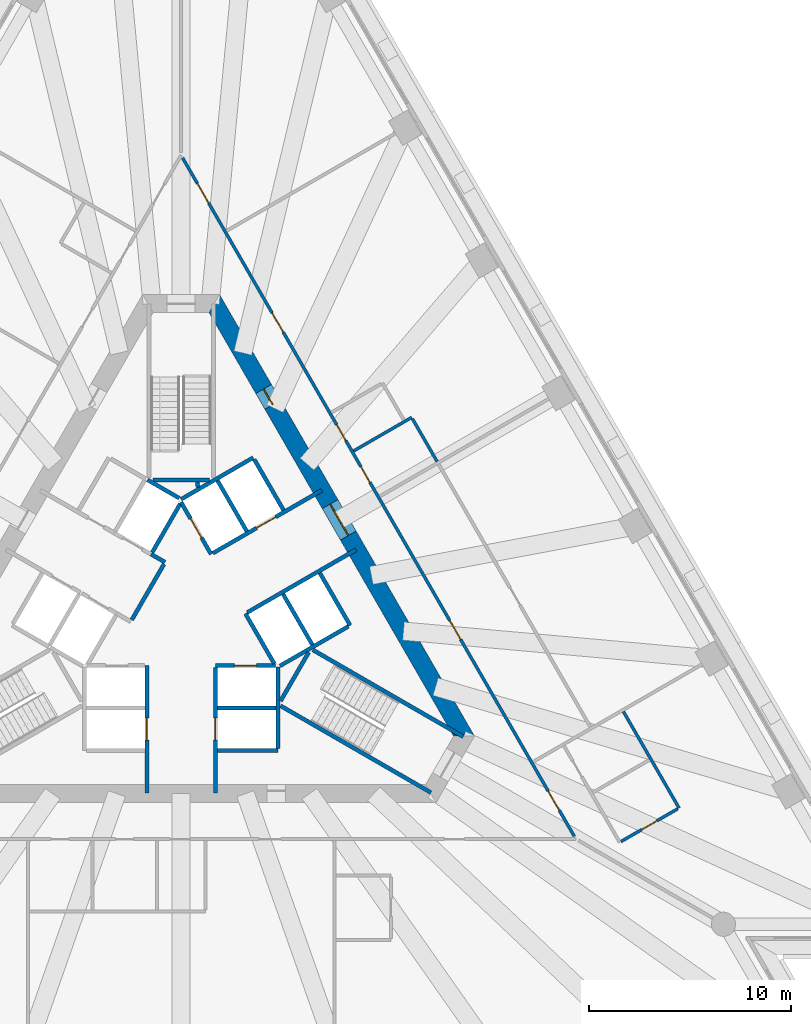
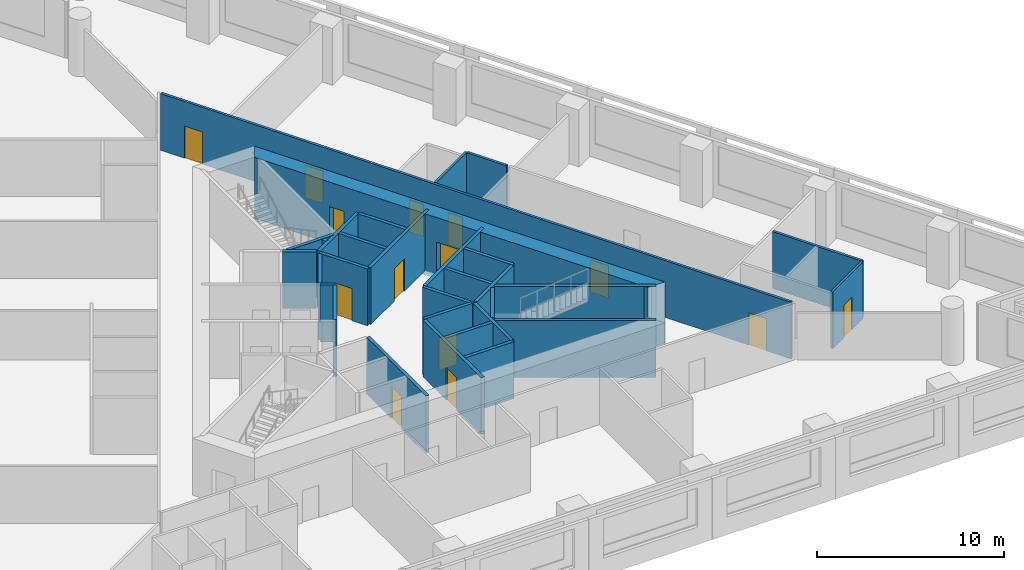
# One storey, part 6 of 11: 31 walls, 14 doors, 14 openings.
"""IFC4 building model written with IfcOpenShell, lengths in metres."""

from ifc_helpers import new_model, si_unit, direction, frame, frame_2d, origin, place, context, subcontext, project, spatial, polyline, rectangle, outline, extrude, material, layer, layer_set, type_object, element, fill, save


model = new_model("IFC4")

# Units and contexts
model_context = context("Model", 3, precision=1e-05, world=origin(), true_north=direction((0.0, 1.0)))
body_context = subcontext(model_context, "Body", "Model", "MODEL_VIEW")
ifc_project = project(units=[si_unit("LENGTHUNIT", "METRE"), si_unit("AREAUNIT", "SQUARE_METRE"), si_unit("VOLUMEUNIT", "CUBIC_METRE"), si_unit("PLANEANGLEUNIT", "RADIAN"), si_unit("MASSUNIT", "GRAM", prefix="KILO")], contexts=[model_context])

# Site, building, storey
site_placement = place(None, origin())
site = spatial("IfcSite", under=ifc_project, at=site_placement, CompositionType="ELEMENT")
building_placement = place(site_placement, origin())
building = spatial("IfcBuilding", under=site, at=building_placement, Name="Triada Interchange Tower", CompositionType="ELEMENT")
storey_placement = place(building_placement, frame((0.0, 0.0, 43.300048828125)))
storey = spatial("IfcBuildingStorey", under=building, at=storey_placement, Name="L08", CompositionType="ELEMENT", Elevation=43.300048828125)

# Walls
ifc_material_1 = material(Name="Concrete C30/37", Category="concrete")
ifc_layer_1 = layer(ifc_material_1, 0.199951171875)
ifc_layer_set_1 = layer_set([ifc_layer_1], Name="CORE WALL 200 EI 120")
wall_type_1 = type_object("IfcWallType", Name="CORE WALL 200 EI 120", PredefinedType="SOLIDWALL", material=ifc_layer_set_1)
wall_1_placement = place(storey_placement, frame((1.800048828125, -4.800048828125, 0.0), z_axis=(0.0, 0.0, 1.0), x_axis=(1.0, 0.0, 0.0)))
element("IfcWall", 1, at=wall_1_placement, inside=storey, type_object=wall_type_1, Name="Wall L06 49", PredefinedType="SOLIDWALL", context=body_context, shape_type="SweptSolid", body=[
    extrude(rectangle(XDim=2.89990234375, YDim=0.199951171875, at=frame_2d((1.449951171875, 0.0))), origin(), (0.0, 0.0, 1.0), 3.699951171875),
])
wall_2_placement = place(storey_placement, frame((1.800048828125, -6.89990234375, 0.0), z_axis=(0.0, 0.0, 1.0), x_axis=(1.0, 0.0, 0.0)))
element("IfcWall", 2, at=wall_2_placement, inside=storey, type_object=wall_type_1, Name="Wall L06 52", PredefinedType="SOLIDWALL", context=body_context, shape_type="SweptSolid", body=[
    extrude(rectangle(XDim=3.0, YDim=0.199951171875, at=frame_2d((1.5, 0.0))), origin(), (0.0, 0.0, 1.0), 3.699951171875),
])

# Wall, opening, door
wall_3_placement = place(storey_placement, frame((-1.699951171875, -9.030029296875, 0.0), z_axis=(0.0, 0.0, 1.0), x_axis=(0.0, 1.0, 0.0)))
wall_3 = element("IfcWall", 3, at=wall_3_placement, inside=storey, type_object=wall_type_1, Name="Wall L06 53", PredefinedType="SOLIDWALL", context=body_context, shape_type="SweptSolid", body=[
    extrude(rectangle(XDim=6.3271484375, YDim=0.199951171875, at=frame_2d((3.16357421875, 0.0))), origin(), (0.0, 0.0, 1.0), 3.699951171875),
])
opening_1_placement = place(wall_3_placement, frame((2.6298828125, 0.0, 0.0)))
opening_1 = element("IfcOpeningElement", 4, at=opening_1_placement, cuts=wall_3, Name="Opening LD-LR4", PredefinedType="OPENING", context=body_context, shape_type="SweptSolid", body=[
    extrude(rectangle(XDim=1.10009765625, YDim=2.10009765625, at=frame_2d((0.550048828125, 1.050048828125))), frame((0.0, 0.10986328125, 0.0), z_axis=(0.0, -1.0, 0.0), x_axis=(1.0, 0.0, 0.0)), (0.0, 0.0, 1.0), 0.219970703125),
])
ifc_material_2 = material(Name="Steel S235 door leaf", Category="steel")
door_type_1 = type_object("IfcDoorType", Name="LIFT LANDING DOOR 1100 EI 120", OperationType="SLIDING_TO_LEFT", PredefinedType="DOOR", material=ifc_material_2)
door_1_placement = place(opening_1_placement, origin())
door_1 = element("IfcDoor", 5, at=door_1_placement, inside=storey, type_object=door_type_1, Name="LR4 landing door L08", OperationType="SLIDING_TO_LEFT", OverallHeight=2.10009765625, OverallWidth=1.10009765625, PredefinedType="DOOR", context=body_context, shape_type="SweptSolid", body=[
    extrude(rectangle(XDim=1.10009765625, YDim=2.10009765625, at=frame_2d((0.550048828125, 1.050048828125))), frame((0.0, 0.02490234375, 0.0), z_axis=(0.0, -1.0, 0.0), x_axis=(1.0, 0.0, 0.0)), (0.0, 0.0, 1.0), 0.050048828125),
])
fill(opening_1, door_1)

wall_4_placement = place(storey_placement, frame((1.702880859375, -2.699951171875, 0.0), z_axis=(0.0, 0.0, 1.0), x_axis=(1.0, 0.0, 0.0)))
wall_4 = element("IfcWall", 6, at=wall_4_placement, inside=storey, type_object=wall_type_1, Name="Wall L06 55", PredefinedType="SOLIDWALL", context=body_context, shape_type="SweptSolid", body=[
    extrude(rectangle(XDim=2.97314453125, YDim=0.199951171875, at=frame_2d((1.486572265625, 0.0))), origin(), (0.0, 0.0, 1.0), 3.699951171875),
])
opening_2_placement = place(wall_4_placement, frame((0.93603515625, 0.0, 0.0)))
opening_2 = element("IfcOpeningElement", 7, at=opening_2_placement, cuts=wall_4, Name="Opening LD-LR1", PredefinedType="OPENING", context=body_context, shape_type="SweptSolid", body=[
    extrude(rectangle(XDim=1.10009765625, YDim=2.10009765625, at=frame_2d((0.550048828125, 1.050048828125))), frame((0.0, 0.10986328125, 0.0), z_axis=(0.0, -1.0, 0.0), x_axis=(1.0, 0.0, 0.0)), (0.0, 0.0, 1.0), 0.219970703125),
])
door_2_placement = place(opening_2_placement, origin())
door_2 = element("IfcDoor", 8, at=door_2_placement, inside=storey, type_object=door_type_1, Name="LR1 landing door L08", OperationType="SLIDING_TO_LEFT", OverallHeight=2.10009765625, OverallWidth=1.10009765625, PredefinedType="DOOR", context=body_context, shape_type="SweptSolid", body=[
    extrude(rectangle(XDim=1.10009765625, YDim=2.10009765625, at=frame_2d((0.550048828125, 1.050048828125))), frame((0.0, 0.02490234375, 0.0), z_axis=(0.0, -1.0, 0.0), x_axis=(1.0, 0.0, 0.0)), (0.0, 0.0, 1.0), 0.050048828125),
])
fill(opening_2, door_2)

# Wall
wall_5_placement = place(storey_placement, frame((-0.001953125, 5.541015625, 0.0), z_axis=(0.0, 0.0, 1.0), x_axis=(0.86600155993, 0.500041296494, 0.0)))
element("IfcWall", 9, at=wall_5_placement, inside=storey, type_object=wall_type_1, Name="Wall L06 56", PredefinedType="SOLIDWALL", context=body_context, shape_type="SweptSolid", body=[
    extrude(rectangle(XDim=4.131591796875, YDim=0.199951171875, at=frame_2d((2.06591796875, 0.0))), origin(), (0.0, 0.0, 1.0), 3.699951171875),
])

# Wall, opening, door
wall_6_placement = place(storey_placement, frame((0.0, 5.39990234375, 0.0), z_axis=(0.0, 0.0, 1.0), x_axis=(0.500103862429, -0.865965430478, 0.0)))
wall_6 = element("IfcWall", 10, at=wall_6_placement, inside=storey, type_object=wall_type_1, Name="Wall L06 57", PredefinedType="SOLIDWALL", context=body_context, shape_type="SweptSolid", body=[
    extrude(rectangle(XDim=2.973388671875, YDim=0.199951171875, at=frame_2d((1.48681640625, 0.0))), origin(), (0.0, 0.0, 1.0), 3.699951171875),
])
opening_3_placement = place(wall_6_placement, frame((0.93701171875, 0.0, 0.0)))
opening_3 = element("IfcOpeningElement", 11, at=opening_3_placement, cuts=wall_6, Name="Opening LD-LR5", PredefinedType="OPENING", context=body_context, shape_type="SweptSolid", body=[
    extrude(rectangle(XDim=1.10009765625, YDim=2.10009765625, at=frame_2d((0.550048828125, 1.050048828125))), frame((0.0, 0.10986328125, 0.0), z_axis=(0.0, -1.0, 0.0), x_axis=(1.0, 0.0, 0.0)), (0.0, 0.0, 1.0), 0.219970703125),
])
door_3_placement = place(opening_3_placement, origin())
door_3 = element("IfcDoor", 12, at=door_3_placement, inside=storey, type_object=door_type_1, Name="LR5 landing door L08", OperationType="SLIDING_TO_LEFT", OverallHeight=2.10009765625, OverallWidth=1.10009765625, PredefinedType="DOOR", context=body_context, shape_type="SweptSolid", body=[
    extrude(rectangle(XDim=1.10009765625, YDim=2.10009765625, at=frame_2d((0.550048828125, 1.050048828125))), frame((0.0, 0.02490234375, 0.0), z_axis=(0.0, -1.0, 0.0), x_axis=(1.0, 0.0, 0.0)), (0.0, 0.0, 1.0), 0.050048828125),
])
fill(opening_3, door_3)

# Wall
wall_7_placement = place(storey_placement, frame((3.18994140625, -0.125, 0.0), z_axis=(0.0, 0.0, 1.0), x_axis=(0.499988658015, -0.866031951983, 0.0)))
element("IfcWall", 13, at=wall_7_placement, inside=storey, type_object=wall_type_1, Name="Wall L06 58", PredefinedType="SOLIDWALL", context=body_context, shape_type="SweptSolid", body=[
    extrude(rectangle(XDim=2.85791015625, YDim=0.199951171875, at=frame_2d((1.428955078125, 0.0))), origin(), (0.0, 0.0, 1.0), 3.699951171875),
])

# Wall, opening, door
wall_8_placement = place(storey_placement, frame((1.577880859375, 2.8740234375, 0.0), z_axis=(0.0, 0.0, 1.0), x_axis=(0.866031483044, 0.499989470266, 0.0)))
wall_8 = element("IfcWall", 14, at=wall_8_placement, inside=storey, type_object=wall_type_1, Name="Wall L06 59", PredefinedType="SOLIDWALL", context=body_context, shape_type="SweptSolid", body=[
    extrude(rectangle(XDim=6.226318359375, YDim=0.199951171875, at=frame_2d((3.11328125, 0.0))), origin(), (0.0, 0.0, 1.0), 3.699951171875),
])
opening_4_placement = place(wall_8_placement, frame((2.49609375, 0.0, 0.0)))
opening_4 = element("IfcOpeningElement", 15, at=opening_4_placement, cuts=wall_8, Name="Opening LD-LR6", PredefinedType="OPENING", context=body_context, shape_type="SweptSolid", body=[
    extrude(rectangle(XDim=1.10009765625, YDim=2.10009765625, at=frame_2d((0.550048828125, 1.050048828125))), frame((0.0, 0.10986328125, 0.0), z_axis=(0.0, -1.0, 0.0), x_axis=(1.0, 0.0, 0.0)), (0.0, 0.0, 1.0), 0.219970703125),
])
door_4_placement = place(opening_4_placement, origin())
door_4 = element("IfcDoor", 16, at=door_4_placement, inside=storey, type_object=door_type_1, Name="LR6 landing door L08", OperationType="SLIDING_TO_LEFT", OverallHeight=2.10009765625, OverallWidth=1.10009765625, PredefinedType="DOOR", context=body_context, shape_type="SweptSolid", body=[
    extrude(rectangle(XDim=1.10009765625, YDim=2.10009765625, at=frame_2d((0.550048828125, 1.050048828125))), frame((0.0, 0.02490234375, 0.0), z_axis=(0.0, -1.0, 0.0), x_axis=(1.0, 0.0, 0.0)), (0.0, 0.0, 1.0), 0.050048828125),
])
fill(opening_4, door_4)

wall_9_placement = place(storey_placement, frame((1.699951171875, -9.030029296875, 0.0), z_axis=(0.0, 0.0, 1.0), x_axis=(0.0, 1.0, 0.0)))
wall_9 = element("IfcWall", 17, at=wall_9_placement, inside=storey, type_object=wall_type_1, Name="Wall L06 60", PredefinedType="SOLIDWALL", context=body_context, shape_type="SweptSolid", body=[
    extrude(rectangle(XDim=6.22705078125, YDim=0.199951171875, at=frame_2d((3.113525390625, 0.0))), origin(), (0.0, 0.0, 1.0), 3.699951171875),
])
opening_5_placement = place(wall_9_placement, frame((2.6298828125, 0.0, 0.0)))
opening_5 = element("IfcOpeningElement", 18, at=opening_5_placement, cuts=wall_9, Name="Opening LD-LR2", PredefinedType="OPENING", context=body_context, shape_type="SweptSolid", body=[
    extrude(rectangle(XDim=1.10009765625, YDim=2.10009765625, at=frame_2d((0.550048828125, 1.050048828125))), frame((0.0, 0.10986328125, 0.0), z_axis=(0.0, -1.0, 0.0), x_axis=(1.0, 0.0, 0.0)), (0.0, 0.0, 1.0), 0.219970703125),
])
door_5_placement = place(opening_5_placement, origin())
door_5 = element("IfcDoor", 19, at=door_5_placement, inside=storey, type_object=door_type_1, Name="LR2 landing door L08", OperationType="SLIDING_TO_LEFT", OverallHeight=2.10009765625, OverallWidth=1.10009765625, PredefinedType="DOOR", context=body_context, shape_type="SweptSolid", body=[
    extrude(rectangle(XDim=1.10009765625, YDim=2.10009765625, at=frame_2d((0.550048828125, 1.050048828125))), frame((0.0, 0.02490234375, 0.0), z_axis=(0.0, -1.0, 0.0), x_axis=(1.0, 0.0, 0.0)), (0.0, 0.0, 1.0), 0.050048828125),
])
fill(opening_5, door_5)

# Walls
wall_10_placement = place(storey_placement, frame((4.800048828125, -6.800048828125, 0.0), z_axis=(0.0, 0.0, 1.0), x_axis=(0.0, 1.0, 0.0)))
element("IfcWall", 20, at=wall_10_placement, inside=storey, type_object=wall_type_1, Name="Wall L06 61", PredefinedType="SOLIDWALL", context=body_context, shape_type="SweptSolid", body=[
    extrude(rectangle(XDim=4.029052734375, YDim=0.199951171875, at=frame_2d((2.0146484375, 0.0))), origin(), (0.0, 0.0, 1.0), 3.699951171875),
])
wall_11_placement = place(storey_placement, frame((3.278076171875, -0.071044921875, 0.0), z_axis=(0.0, 0.0, 1.0), x_axis=(0.865953757655, 0.500124074208, 0.0)))
element("IfcWall", 21, at=wall_11_placement, inside=storey, type_object=wall_type_1, Name="Wall L06 62", PredefinedType="SOLIDWALL", context=body_context, shape_type="SweptSolid", body=[
    extrude(rectangle(XDim=6.2265625, YDim=0.199951171875, at=frame_2d((3.11328125, 0.0))), origin(), (0.0, 0.0, 1.0), 3.699951171875),
])
wall_12_placement = place(storey_placement, frame((3.6259765625, 7.52001953125, 0.0), z_axis=(0.0, 0.0, 1.0), x_axis=(0.500060147554, -0.865990674793, 0.0)))
element("IfcWall", 22, at=wall_12_placement, inside=storey, type_object=wall_type_1, Name="Wall L06 63", PredefinedType="SOLIDWALL", context=body_context, shape_type="SweptSolid", body=[
    extrude(rectangle(XDim=2.899658203125, YDim=0.199951171875, at=frame_2d((1.44970703125, 0.0))), origin(), (0.0, 0.0, 1.0), 3.699951171875),
])
wall_13_placement = place(storey_placement, frame((6.8759765625, 1.89111328125, 0.0), z_axis=(0.0, 0.0, 1.0), x_axis=(0.499990139034, -0.866031096941, 0.0)))
element("IfcWall", 23, at=wall_13_placement, inside=storey, type_object=wall_type_1, Name="Wall L06 64", PredefinedType="SOLIDWALL", context=body_context, shape_type="SweptSolid", body=[
    extrude(rectangle(XDim=3.0, YDim=0.199951171875, at=frame_2d((1.5, 0.0))), origin(), (0.0, 0.0, 1.0), 3.699951171875),
])
for number, where, z_axis, x_axis, name in (
    (24, (1.806884765625, 6.469970703125, 0.0), (0.0, 0.0, 1.0), (0.50012328804, -0.865954211699, 0.0), "Wall L06 65"),
    (25, (5.056884765625, 0.841064453125, 0.0), (0.0, 0.0, 1.0), (0.50012328804, -0.865954211699, 0.0), "Wall L06 66"),
):
    element("IfcWall", number, at=place(storey_placement, frame(where, z_axis=z_axis, x_axis=x_axis)), inside=storey, type_object=wall_type_1, Name=name, PredefinedType="SOLIDWALL", context=body_context, shape_type="SweptSolid", body=[
        extrude(rectangle(XDim=2.899658203125, YDim=0.199951171875, at=frame_2d((1.44970703125, 0.0))), origin(), (0.0, 0.0, 1.0), 3.699951171875),
    ])
wall_14_placement = place(storey_placement, frame((4.89990234375, -2.714111328125, 0.0), z_axis=(0.0, 0.0, 1.0), x_axis=(0.865992350556, 0.500057245502, 0.0)))
element("IfcWall", 26, at=wall_14_placement, inside=storey, type_object=wall_type_1, Name="Wall L06 67", PredefinedType="SOLIDWALL", context=body_context, shape_type="SweptSolid", body=[
    extrude(rectangle(XDim=3.91357421875, YDim=0.199951171875, at=frame_2d((1.956787109375, 0.0))), origin(), (0.0, 0.0, 1.0), 3.699951171875),
])
ifc_layer_2 = layer(ifc_material_1, 0.199951171875)
ifc_layer_set_2 = layer_set([ifc_layer_2], Name="CORE WALL 200 EI 180")
wall_type_2 = type_object("IfcWallType", Name="CORE WALL 200 EI 180", PredefinedType="SOLIDWALL", material=ifc_layer_set_2)
wall_15_placement = place(storey_placement, frame((-1.488037109375, 2.822021484375, 0.0), z_axis=(0.0, 0.0, 1.0), x_axis=(0.866236612152, -0.499633997809, 0.0)))
element("IfcWall", 27, at=wall_15_placement, inside=storey, type_object=wall_type_2, Name="Wall L06 71", PredefinedType="SOLIDWALL", context=body_context, shape_type="SweptSolid", body=[
    extrude(rectangle(XDim=0.79638671875, YDim=0.199951171875, at=frame_2d((0.398193359375, 0.0))), origin(), (0.0, 0.0, 1.0), 3.699951171875),
])
wall_16_placement = place(storey_placement, frame((-2.444091796875, -0.43310546875, 0.0), z_axis=(0.0, 0.0, 1.0), x_axis=(0.500035624827, 0.866004834804, 0.0)))
element("IfcWall", 28, at=wall_16_placement, inside=storey, type_object=wall_type_2, Name="Wall L06 74", PredefinedType="SOLIDWALL", context=body_context, shape_type="SweptSolid", body=[
    extrude(rectangle(XDim=3.194091796875, YDim=0.199951171875, at=frame_2d((1.59716796875, 0.0))), origin(), (0.0, 0.0, 1.0), 3.699951171875),
])
wall_17_placement = place(storey_placement, frame((-1.669921875, 6.507080078125, 0.0), z_axis=(0.0, 0.0, 1.0), x_axis=(0.865941441609, -0.500145398563, 0.0)))
element("IfcWall", 29, at=wall_17_placement, inside=storey, type_object=wall_type_2, Name="Shaft wall FF2 L06 81", PredefinedType="SOLIDWALL", context=body_context, shape_type="SweptSolid", body=[
    extrude(rectangle(XDim=1.8154296875, YDim=0.199951171875, at=frame_2d((0.90771484375, 0.0))), origin(), (0.0, 0.0, 1.0), 3.699951171875),
])
wall_18_placement = place(storey_placement, frame((-1.43798828125, 2.908935546875, 0.0), z_axis=(0.0, 0.0, 1.0), x_axis=(0.499829630636, 0.866123744241, 0.0)))
element("IfcWall", 30, at=wall_18_placement, inside=storey, type_object=wall_type_2, Name="Shaft wall FF2 L06 82", PredefinedType="SOLIDWALL", context=body_context, shape_type="SweptSolid", body=[
    extrude(rectangle(XDim=2.7607421875, YDim=0.199951171875, at=frame_2d((1.38037109375, 0.0))), origin(), (0.0, 0.0, 1.0), 3.699951171875),
])
ifc_layer_3 = layer(ifc_material_1, 0.199951171875)
ifc_layer_set_3 = layer_set([ifc_layer_3], Name="CORE WALL 200 EI 90")
wall_type_3 = type_object("IfcWallType", Name="CORE WALL 200 EI 90", PredefinedType="SOLIDWALL", material=ifc_layer_set_3)
wall_19_placement = place(storey_placement, frame((0.81103515625, 6.39990234375, 0.0), z_axis=(0.0, 0.0, 1.0), x_axis=(0.076199063602, -0.997092624938, 0.0)))
element("IfcWall", 31, at=wall_19_placement, inside=storey, type_object=wall_type_3, Name="Wall L06 83", PredefinedType="SOLIDWALL", context=body_context, shape_type="SweptSolid", body=[
    extrude(rectangle(XDim=0.2626953125, YDim=0.199951171875, at=frame_2d((0.13134765625, 0.0))), origin(), (0.0, 0.0, 1.0), 3.699951171875),
])
ifc_layer_4 = layer(ifc_material_1, 0.199951171875)
ifc_layer_set_4 = layer_set([ifc_layer_4], Name="CORE WALL 200 REI 240")
wall_type_4 = type_object("IfcWallType", Name="CORE WALL 200 REI 240", PredefinedType="SOLIDWALL", material=ifc_layer_set_4)
wall_20_placement = place(storey_placement, frame((-1.39990234375, 6.5, 0.0), z_axis=(0.0, 0.0, 1.0), x_axis=(1.0, 0.0, 0.0)))
element("IfcWall", 32, at=wall_20_placement, inside=storey, type_object=wall_type_4, Name="Wall L06 88", PredefinedType="SOLIDWALL", context=body_context, shape_type="SweptSolid", body=[
    extrude(rectangle(XDim=2.7998046875, YDim=0.199951171875, at=frame_2d((1.39990234375, 0.0))), origin(), (0.0, 0.0, 1.0), 3.699951171875),
])
wall_21_placement = place(storey_placement, frame((4.928955078125, -4.693115234375, 0.0), z_axis=(0.0, 0.0, 1.0), x_axis=(0.866010975815, -0.500024989144, 0.0)))
element("IfcWall", 33, at=wall_21_placement, inside=storey, type_object=wall_type_4, Name="Wall L06 90", PredefinedType="SOLIDWALL", context=body_context, shape_type="SweptSolid", body=[
    extrude(rectangle(XDim=8.615234375, YDim=0.199951171875, at=frame_2d((4.3076171875, 0.0))), origin(), (0.0, 0.0, 1.0), 3.699951171875),
])
wall_22_placement = place(storey_placement, frame((4.928955078125, -4.4619140625, 0.0), z_axis=(0.0, 0.0, 1.0), x_axis=(0.500200581029, 0.865909567298, 0.0)))
element("IfcWall", 34, at=wall_22_placement, inside=storey, type_object=wall_type_4, Name="Wall L06 91", PredefinedType="SOLIDWALL", context=body_context, shape_type="SweptSolid", body=[
    extrude(rectangle(XDim=2.799072265625, YDim=0.199951171875, at=frame_2d((1.3994140625, 0.0))), origin(), (0.0, 0.0, 1.0), 3.699951171875),
])
wall_23_placement = place(storey_placement, frame((6.529052734375, -1.922119140625, 0.0), z_axis=(0.0, 0.0, 1.0), x_axis=(0.866060059011, -0.499939970583, 0.0)))
element("IfcWall", 35, at=wall_23_placement, inside=storey, type_object=wall_type_4, Name="Wall L06 92", PredefinedType="SOLIDWALL", context=body_context, shape_type="SweptSolid", body=[
    extrude(rectangle(XDim=8.61474609375, YDim=0.199951171875, at=frame_2d((4.307373046875, 0.0))), origin(), (0.0, 0.0, 1.0), 3.699951171875),
])

# Wall, openings, doors
ifc_material_3 = material(Name="Concrete C70/85", Category="concrete")
ifc_layer_5 = layer(ifc_material_3, 0.89990234375)
ifc_layer_set_5 = layer_set([ifc_layer_5], Name="Core wall A 900")
wall_type_5 = type_object("IfcWallType", Name="Core wall A 900", PredefinedType="SHEAR", material=ifc_layer_set_5)
wall_24_placement = place(storey_placement, frame((14.030029296875, -6.199951171875, -0.300048828125), z_axis=(0.0, 0.0, 1.0), x_axis=(-0.500026485275, 0.866010111964, 0.0)))
wall_24 = element("IfcWall", 36, at=wall_24_placement, inside=storey, type_object=wall_type_5, Name="Core wall WA06 L08", PredefinedType="SHEAR", context=body_context, shape_type="SweptSolid", body=[
    extrude(outline(polyline([(-0.260009765625, -0.448974609375), (1.685302734375, -0.448974609375), (3.63037109375, -0.44921875), (5.57568359375, -0.44921875), (7.52099609375, -0.44921875), (9.466064453125, -0.449462890625), (11.411376953125, -0.449462890625), (13.356689453125, -0.449462890625), (15.302001953125, -0.449462890625), (17.2470703125, -0.44970703125), (19.1923828125, -0.44970703125), (21.1376953125, -0.44970703125), (23.082763671875, -0.449951171875), (25.028076171875, -0.449951171875), (24.509033203125, 0.448974609375), (22.643798828125, 0.448974609375), (20.7783203125, 0.44921875), (18.9130859375, 0.44921875), (17.0478515625, 0.44921875), (15.182373046875, 0.449462890625), (13.317138671875, 0.449462890625), (11.451904296875, 0.449462890625), (9.586669921875, 0.449462890625), (7.72119140625, 0.44970703125), (5.85595703125, 0.44970703125), (3.99072265625, 0.44970703125), (2.125244140625, 0.449951171875), (0.260009765625, 0.449951171875), (-0.260009765625, -0.448974609375)])), origin(), (0.0, 0.0, 1.0), 4.0),
])
opening_6_placement = place(wall_24_placement, frame((11.48388671875, 0.0, 0.300048828125)))
opening_6 = element("IfcOpeningElement", 37, at=opening_6_placement, cuts=wall_24, Name="Opening D06-40", PredefinedType="OPENING", context=body_context, shape_type="SweptSolid", body=[
    extrude(rectangle(XDim=1.800048828125, YDim=2.10009765625, at=frame_2d((0.89990234375, 1.050048828125))), frame((0.0, 0.4599609375, 0.0), z_axis=(0.0, -1.0, 0.0), x_axis=(1.0, 0.0, 0.0)), (0.0, 0.0, 1.0), 0.919921875),
])
opening_7_placement = place(wall_24_placement, frame((18.97607421875, 0.0, 0.300048828125)))
opening_7 = element("IfcOpeningElement", 38, at=opening_7_placement, cuts=wall_24, Name="Opening D06-47", PredefinedType="OPENING", context=body_context, shape_type="SweptSolid", body=[
    extrude(rectangle(XDim=0.89990234375, YDim=2.10009765625, at=frame_2d((0.449951171875, 1.050048828125))), frame((0.0, 0.4599609375, 0.0), z_axis=(0.0, -1.0, 0.0), x_axis=(1.0, 0.0, 0.0)), (0.0, 0.0, 1.0), 0.919921875),
])
door_type_2 = type_object("IfcDoorType", Name="LOBBY DOOR 1800 EI2 90-C5S200", OperationType="DOUBLE_DOOR_SINGLE_SWING", PredefinedType="DOOR", material=ifc_material_2)
door_6_placement = place(opening_6_placement, origin())
door_6 = element("IfcDoor", 39, at=door_6_placement, inside=storey, type_object=door_type_2, Name="Door D06-40 L08", OperationType="DOUBLE_DOOR_SINGLE_SWING", OverallHeight=2.10009765625, OverallWidth=1.800048828125, PredefinedType="DOOR", context=body_context, shape_type="SweptSolid", body=[
    extrude(rectangle(XDim=1.800048828125, YDim=2.10009765625, at=frame_2d((0.89990234375, 1.050048828125))), frame((0.0, 0.02490234375, 0.0), z_axis=(0.0, -1.0, 0.0), x_axis=(1.0, 0.0, 0.0)), (0.0, 0.0, 1.0), 0.050048828125),
])
fill(opening_6, door_6)
door_type_3 = type_object("IfcDoorType", Name="RISER ACCESS DOOR 900 EI2 45-C5S200", OperationType="NOTDEFINED", PredefinedType="DOOR", material=ifc_material_2)
door_7_placement = place(opening_7_placement, origin())
door_7 = element("IfcDoor", 40, at=door_7_placement, inside=storey, type_object=door_type_3, Name="Door D06-47 L08", OperationType="SINGLE_SWING_LEFT", OverallHeight=2.10009765625, OverallWidth=0.89990234375, PredefinedType="DOOR", context=body_context, shape_type="SweptSolid", body=[
    extrude(rectangle(XDim=0.89990234375, YDim=2.10009765625, at=frame_2d((0.449951171875, 1.050048828125))), frame((0.0, 0.02490234375, 0.0), z_axis=(0.0, -1.0, 0.0), x_axis=(1.0, 0.0, 0.0)), (0.0, 0.0, 1.0), 0.050048828125),
])
fill(opening_7, door_7)

ifc_material_4 = material(Name="Gypsum board partition")
ifc_layer_6 = layer(ifc_material_4, 0.14990234375)
ifc_layer_set_6 = layer_set([ifc_layer_6], Name="PARTITION 150 EI 180")
wall_type_6 = type_object("IfcWallType", Name="PARTITION 150 EI 180", PredefinedType="PARTITIONING", material=ifc_layer_set_6)
wall_25_placement = place(storey_placement, frame((0.074951171875, 22.469970703125, 0.0), z_axis=(0.0, 0.0, 1.0), x_axis=(0.500002280369, -0.866024087209, 0.0)))
wall_25 = element("IfcWall", 41, at=wall_25_placement, inside=storey, type_object=wall_type_6, Name="Wall L06 25", PredefinedType="PARTITIONING", context=body_context, shape_type="SweptSolid", body=[
    extrude(rectangle(XDim=38.843994140625, YDim=0.14990234375, at=frame_2d((19.421875, 0.0))), origin(), (0.0, 0.0, 1.0), 3.699951171875),
])
opening_8_placement = place(wall_25_placement, frame((36.243896484375, 0.0, 0.0)))
opening_8 = element("IfcOpeningElement", 42, at=opening_8_placement, cuts=wall_25, Name="Opening D06-22", PredefinedType="OPENING", context=body_context, shape_type="SweptSolid", body=[
    extrude(rectangle(XDim=1.10009765625, YDim=2.10009765625, at=frame_2d((0.550048828125, 1.050048828125))), frame((0.0, 0.0849609375, 0.0), z_axis=(0.0, -1.0, 0.0), x_axis=(1.0, 0.0, 0.0)), (0.0, 0.0, 1.0), 0.169921875),
])
opening_9_placement = place(wall_25_placement, frame((26.471923828125, 0.0, 0.0)))
opening_9 = element("IfcOpeningElement", 43, at=opening_9_placement, cuts=wall_25, Name="Opening D06-25", PredefinedType="OPENING", context=body_context, shape_type="SweptSolid", body=[
    extrude(rectangle(XDim=1.10009765625, YDim=2.10009765625, at=frame_2d((0.550048828125, 1.050048828125))), frame((0.0, 0.0849609375, 0.0), z_axis=(0.0, -1.0, 0.0), x_axis=(1.0, 0.0, 0.0)), (0.0, 0.0, 1.0), 0.169921875),
])
opening_10_placement = place(wall_25_placement, frame((8.8720703125, 0.0, 0.0)))
opening_10 = element("IfcOpeningElement", 44, at=opening_10_placement, cuts=wall_25, Name="Opening D06-27", PredefinedType="OPENING", context=body_context, shape_type="SweptSolid", body=[
    extrude(rectangle(XDim=1.10009765625, YDim=2.10009765625, at=frame_2d((0.550048828125, 1.050048828125))), frame((0.0, 0.0849609375, 0.0), z_axis=(0.0, -1.0, 0.0), x_axis=(1.0, 0.0, 0.0)), (0.0, 0.0, 1.0), 0.169921875),
])
opening_11_placement = place(wall_25_placement, frame((17.672119140625, 0.0, 0.0)))
opening_11 = element("IfcOpeningElement", 45, at=opening_11_placement, cuts=wall_25, Name="Opening D06-28", PredefinedType="OPENING", context=body_context, shape_type="SweptSolid", body=[
    extrude(rectangle(XDim=0.89990234375, YDim=2.10009765625, at=frame_2d((0.449951171875, 1.050048828125))), frame((0.0, 0.0849609375, 0.0), z_axis=(0.0, -1.0, 0.0), x_axis=(1.0, 0.0, 0.0)), (0.0, 0.0, 1.0), 0.169921875),
])
opening_12_placement = place(wall_25_placement, frame((15.27197265625, 0.0, 0.0)))
opening_12 = element("IfcOpeningElement", 46, at=opening_12_placement, cuts=wall_25, Name="Opening D06-29", PredefinedType="OPENING", context=body_context, shape_type="SweptSolid", body=[
    extrude(rectangle(XDim=0.89990234375, YDim=2.10009765625, at=frame_2d((0.449951171875, 1.050048828125))), frame((0.0, 0.0849609375, 0.0), z_axis=(0.0, -1.0, 0.0), x_axis=(1.0, 0.0, 0.0)), (0.0, 0.0, 1.0), 0.169921875),
])
opening_13_placement = place(wall_25_placement, frame((1.472900390625, 0.0, 0.0)))
opening_13 = element("IfcOpeningElement", 47, at=opening_13_placement, cuts=wall_25, Name="Opening D06-30", PredefinedType="OPENING", context=body_context, shape_type="SweptSolid", body=[
    extrude(rectangle(XDim=1.10009765625, YDim=2.10009765625, at=frame_2d((0.550048828125, 1.050048828125))), frame((0.0, 0.0849609375, 0.0), z_axis=(0.0, -1.0, 0.0), x_axis=(1.0, 0.0, 0.0)), (0.0, 0.0, 1.0), 0.169921875),
])
door_type_4 = type_object("IfcDoorType", Name="ROOM DOOR 900 EI2 90-C5S200", OperationType="NOTDEFINED", PredefinedType="DOOR", material=ifc_material_2)
door_8_placement = place(opening_11_placement, origin())
door_8 = element("IfcDoor", 48, at=door_8_placement, inside=storey, type_object=door_type_4, Name="Door D06-28 L08", OperationType="SINGLE_SWING_RIGHT", OverallHeight=2.10009765625, OverallWidth=0.89990234375, PredefinedType="DOOR", context=body_context, shape_type="SweptSolid", body=[
    extrude(rectangle(XDim=0.89990234375, YDim=2.10009765625, at=frame_2d((0.449951171875, 1.050048828125))), frame((0.0, 0.02490234375, 0.0), z_axis=(0.0, -1.0, 0.0), x_axis=(1.0, 0.0, 0.0)), (0.0, 0.0, 1.0), 0.050048828125),
])
fill(opening_11, door_8)
door_type_5 = type_object("IfcDoorType", Name="SERVICE DOOR 900 EI2 90-C5S200", OperationType="NOTDEFINED", PredefinedType="DOOR", material=ifc_material_2)
door_9_placement = place(opening_12_placement, origin())
door_9 = element("IfcDoor", 49, at=door_9_placement, inside=storey, type_object=door_type_5, Name="Door D06-29 L08", OperationType="SINGLE_SWING_RIGHT", OverallHeight=2.10009765625, OverallWidth=0.89990234375, PredefinedType="DOOR", context=body_context, shape_type="SweptSolid", body=[
    extrude(rectangle(XDim=0.89990234375, YDim=2.10009765625, at=frame_2d((0.449951171875, 1.050048828125))), frame((0.0, 0.02490234375, 0.0), z_axis=(0.0, -1.0, 0.0), x_axis=(1.0, 0.0, 0.0)), (0.0, 0.0, 1.0), 0.050048828125),
])
fill(opening_12, door_9)
door_type_6 = type_object("IfcDoorType", Name="TENANCY ENTRANCE DOOR 1100 EI2 90-C5S200", OperationType="NOTDEFINED", PredefinedType="DOOR", material=ifc_material_2)
door_10_placement = place(opening_8_placement, origin())
door_10 = element("IfcDoor", 50, at=door_10_placement, inside=storey, type_object=door_type_6, Name="Door D06-22 L08", OperationType="SINGLE_SWING_RIGHT", OverallHeight=2.10009765625, OverallWidth=1.10009765625, PredefinedType="DOOR", context=body_context, shape_type="SweptSolid", body=[
    extrude(rectangle(XDim=1.10009765625, YDim=2.10009765625, at=frame_2d((0.550048828125, 1.050048828125))), frame((0.0, 0.02490234375, 0.0), z_axis=(0.0, -1.0, 0.0), x_axis=(1.0, 0.0, 0.0)), (0.0, 0.0, 1.0), 0.050048828125),
])
fill(opening_8, door_10)
door_11_placement = place(opening_9_placement, origin())
door_11 = element("IfcDoor", 51, at=door_11_placement, inside=storey, type_object=door_type_6, Name="Door D06-25 L08", OperationType="SINGLE_SWING_RIGHT", OverallHeight=2.10009765625, OverallWidth=1.10009765625, PredefinedType="DOOR", context=body_context, shape_type="SweptSolid", body=[
    extrude(rectangle(XDim=1.10009765625, YDim=2.10009765625, at=frame_2d((0.550048828125, 1.050048828125))), frame((0.0, 0.02490234375, 0.0), z_axis=(0.0, -1.0, 0.0), x_axis=(1.0, 0.0, 0.0)), (0.0, 0.0, 1.0), 0.050048828125),
])
fill(opening_9, door_11)
door_12_placement = place(opening_10_placement, origin())
door_12 = element("IfcDoor", 52, at=door_12_placement, inside=storey, type_object=door_type_6, Name="Door D06-27 L08", OperationType="SINGLE_SWING_RIGHT", OverallHeight=2.10009765625, OverallWidth=1.10009765625, PredefinedType="DOOR", context=body_context, shape_type="SweptSolid", body=[
    extrude(rectangle(XDim=1.10009765625, YDim=2.10009765625, at=frame_2d((0.550048828125, 1.050048828125))), frame((0.0, 0.02490234375, 0.0), z_axis=(0.0, -1.0, 0.0), x_axis=(1.0, 0.0, 0.0)), (0.0, 0.0, 1.0), 0.050048828125),
])
fill(opening_10, door_12)
door_13_placement = place(opening_13_placement, origin())
door_13 = element("IfcDoor", 53, at=door_13_placement, inside=storey, type_object=door_type_6, Name="Door D06-30 L08", OperationType="SINGLE_SWING_LEFT", OverallHeight=2.10009765625, OverallWidth=1.10009765625, PredefinedType="DOOR", context=body_context, shape_type="SweptSolid", body=[
    extrude(rectangle(XDim=1.10009765625, YDim=2.10009765625, at=frame_2d((0.550048828125, 1.050048828125))), frame((0.0, 0.02490234375, 0.0), z_axis=(0.0, -1.0, 0.0), x_axis=(1.0, 0.0, 0.0)), (0.0, 0.0, 1.0), 0.050048828125),
])
fill(opening_13, door_13)

# Walls
wall_26_placement = place(storey_placement, frame((8.551025390625, 7.93896484375, 0.0), z_axis=(0.0, 0.0, 1.0), x_axis=(0.865975293465, 0.500086783578, 0.0)))
element("IfcWall", 54, at=wall_26_placement, inside=storey, type_object=wall_type_6, Name="Wall L06 30", PredefinedType="PARTITIONING", context=body_context, shape_type="SweptSolid", body=[
    extrude(rectangle(XDim=3.32568359375, YDim=0.14990234375, at=frame_2d((1.662841796875, 0.0))), origin(), (0.0, 0.0, 1.0), 3.699951171875),
])
wall_27_placement = place(storey_placement, frame((11.468017578125, 9.537109375, 0.0), z_axis=(0.0, 0.0, 1.0), x_axis=(0.499975448907, -0.8660395779, 0.0)))
element("IfcWall", 55, at=wall_27_placement, inside=storey, type_object=wall_type_6, Name="Wall L06 31", PredefinedType="PARTITIONING", context=body_context, shape_type="SweptSolid", body=[
    extrude(rectangle(XDim=2.4501953125, YDim=0.14990234375, at=frame_2d((1.22509765625, 0.0))), origin(), (0.0, 0.0, 1.0), 3.699951171875),
])
ifc_layer_7 = layer(ifc_material_4, 0.14990234375)
ifc_layer_set_7 = layer_set([ifc_layer_7], Name="PARTITION 150 EI 90")
wall_type_7 = type_object("IfcWallType", Name="PARTITION 150 EI 90", PredefinedType="PARTITIONING", material=ifc_layer_set_7)
wall_28_placement = place(storey_placement, frame((21.927001953125, -4.97802734375, 0.0), z_axis=(0.0, 0.0, 1.0), x_axis=(0.499917542299, -0.866073005526, 0.0)))
element("IfcWall", 56, at=wall_28_placement, inside=storey, type_object=wall_type_7, Name="Wall L06 43", PredefinedType="PARTITIONING", context=body_context, shape_type="SweptSolid", body=[
    extrude(rectangle(XDim=5.52490234375, YDim=0.14990234375, at=frame_2d((2.762451171875, 0.0))), origin(), (0.0, 0.0, 1.0), 3.699951171875),
])

# Wall, opening, door
wall_29_placement = place(storey_placement, frame((21.81005859375, -11.425048828125, 0.0), z_axis=(0.0, 0.0, 1.0), x_axis=(0.865977875238, 0.500082312822, 0.0)))
wall_29 = element("IfcWall", 57, at=wall_29_placement, inside=storey, type_object=wall_type_7, Name="Wall L06 45", PredefinedType="PARTITIONING", context=body_context, shape_type="SweptSolid", body=[
    extrude(rectangle(XDim=3.24951171875, YDim=0.14990234375, at=frame_2d((1.624755859375, 0.0))), origin(), (0.0, 0.0, 1.0), 3.699951171875),
])
opening_14_placement = place(wall_29_placement, frame((1.174072265625, 0.0, 0.0)))
opening_14 = element("IfcOpeningElement", 58, at=opening_14_placement, cuts=wall_29, Name="Opening D06-24", PredefinedType="OPENING", context=body_context, shape_type="SweptSolid", body=[
    extrude(rectangle(XDim=0.89990234375, YDim=2.10009765625, at=frame_2d((0.449951171875, 1.050048828125))), frame((0.0, 0.0849609375, 0.0), z_axis=(0.0, -1.0, 0.0), x_axis=(1.0, 0.0, 0.0)), (0.0, 0.0, 1.0), 0.169921875),
])
door_type_7 = type_object("IfcDoorType", Name="ROOM DOOR 900 EI2 45-C5S200", OperationType="NOTDEFINED", PredefinedType="DOOR", material=ifc_material_2)
door_14_placement = place(opening_14_placement, origin())
door_14 = element("IfcDoor", 59, at=door_14_placement, inside=storey, type_object=door_type_7, Name="Door D06-24 L08", OperationType="SINGLE_SWING_LEFT", OverallHeight=2.10009765625, OverallWidth=0.89990234375, PredefinedType="DOOR", context=body_context, shape_type="SweptSolid", body=[
    extrude(rectangle(XDim=0.89990234375, YDim=2.10009765625, at=frame_2d((0.449951171875, 1.050048828125))), frame((0.0, 0.02490234375, 0.0), z_axis=(0.0, -1.0, 0.0), x_axis=(1.0, 0.0, 0.0)), (0.0, 0.0, 1.0), 0.050048828125),
])
fill(opening_14, door_14)

save(model, "model.ifc")
